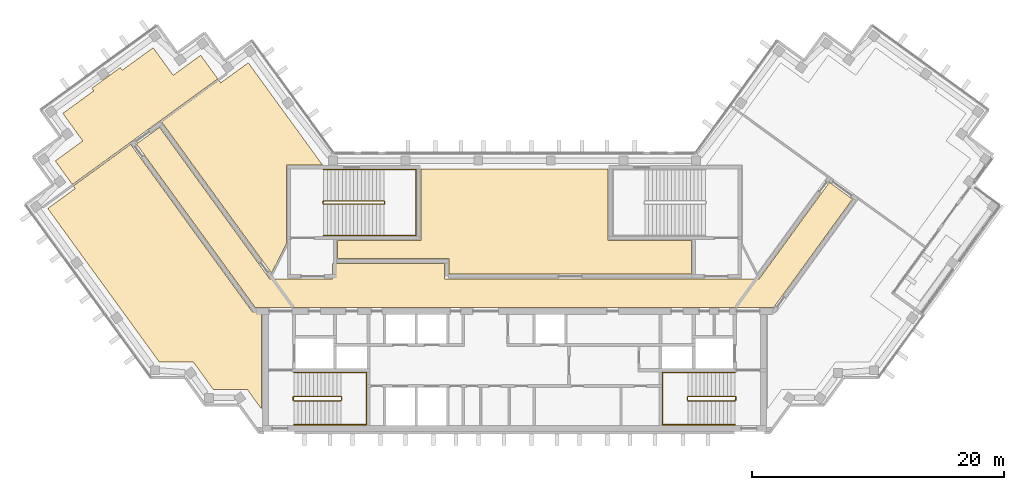
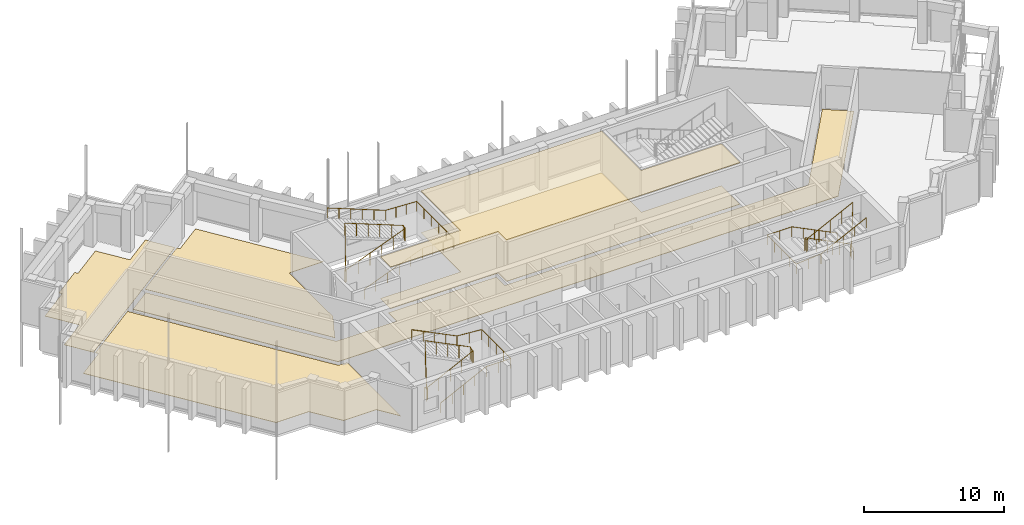
# One storey, part 13 of 14: 6 coverings, 6 railings.
"""IFC4 building model written with IfcOpenShell, lengths in metres."""

from ifc_helpers import new_model, si_unit, direction, frame, origin, origin_2d, place, context, subcontext, project, spatial, polyline, circle, outline, extrude, material, layer, layer_set, type_object, element, save


model = new_model("IFC4")

# Units and contexts
model_context = context("Model", 3, precision=1e-05, world=origin(), true_north=direction((0.0, 1.0)))
body_context = subcontext(model_context, "Body", "Model", "MODEL_VIEW")
ifc_project = project(units=[si_unit("LENGTHUNIT", "METRE"), si_unit("AREAUNIT", "SQUARE_METRE"), si_unit("VOLUMEUNIT", "CUBIC_METRE"), si_unit("PLANEANGLEUNIT", "RADIAN"), si_unit("MASSUNIT", "GRAM", prefix="KILO")], contexts=[model_context])

# Site, building, storey
site_placement = place(None, origin())
site = spatial("IfcSite", under=ifc_project, at=site_placement, CompositionType="ELEMENT")
building_placement = place(site_placement, origin())
building = spatial("IfcBuilding", under=site, at=building_placement, Name="Quipu Civic Tower", CompositionType="ELEMENT")
storey_placement = place(building_placement, frame((0.0, 0.0, 311.0)))
storey = spatial("IfcBuildingStorey", under=building, at=storey_placement, Name="L72", CompositionType="ELEMENT", Elevation=311.0)

# Coverings
ifc_material_1 = material(Name="Mineral fibre acoustic ceiling tile")
ifc_layer_1 = layer(ifc_material_1, 0.0400390625)
ifc_layer_set_1 = layer_set([ifc_layer_1], Name="Mineral fibre acoustic ceiling tile")
covering_type_1 = type_object("IfcCoveringType", Name="Acoustic ceiling tile 600 x 600", PredefinedType="CEILING", material=ifc_layer_set_1)
covering_1_placement = place(storey_placement, frame((0.0, 0.0, 3.610107421875)))
element("IfcCovering", 1, at=covering_1_placement, inside=storey, type_object=covering_type_1, Name="Acoustic ceiling tile 600 x 600", PredefinedType="CEILING", context=body_context, shape_type="SweptSolid", body=[
    extrude(outline(polyline([(-14.030029296875, 2.719970703125), (-14.030029296875, 4.179931640625), (-7.430908203125, 4.180908203125), (-7.429931640625, 9.830078125), (7.429931640625, 9.830078125), (7.430908203125, 4.179931640625), (14.030029296875, 4.179931640625), (14.030029296875, 1.52001953125), (-5.179931640625, 1.52001953125), (-5.181884765625, 2.719970703125), (-14.030029296875, 2.719970703125)])), origin(), (0.0, 0.0, 1.0), 0.039794921875),
])
ifc_material_2 = material(Name="Carpet tile on raised access floor")
ifc_layer_2 = layer(ifc_material_2, 0.02001953125)
ifc_layer_set_2 = layer_set([ifc_layer_2], Name="Carpet tile on raised access floor")
covering_type_2 = type_object("IfcCoveringType", Name="Carpet tile floor finish 20", PredefinedType="FLOORING", material=ifc_layer_set_2)
covering_2_placement = place(storey_placement, origin())
element("IfcCovering", 2, at=covering_2_placement, inside=storey, type_object=covering_type_2, Name="Carpet tile floor finish 20", PredefinedType="FLOORING", context=body_context, shape_type="SweptSolid", body=[
    extrude(outline(polyline([(-14.030029296875, 2.719970703125), (-14.030029296875, 4.179931640625), (-7.430908203125, 4.180908203125), (-7.429931640625, 9.830078125), (7.429931640625, 9.830078125), (7.430908203125, 4.179931640625), (14.030029296875, 4.179931640625), (14.030029296875, 1.52001953125), (-5.179931640625, 1.52001953125), (-5.181884765625, 2.719970703125), (-14.030029296875, 2.719970703125)])), origin(), (0.0, 0.0, 1.0), 0.02001953125),
])
covering_3_placement = place(storey_placement, origin())
element("IfcCovering", 3, at=covering_3_placement, inside=storey, type_object=covering_type_2, Name="Carpet tile floor finish 20", PredefinedType="FLOORING", context=body_context, shape_type="SweptSolid", body=[
    extrude(outline(polyline([(-27.987060546875, 13.5791015625), (-23.447998046875, 16.876953125), (-23.299072265625, 16.676025390625), (-21.115966796875, 18.260986328125), (-15.238037109375, 10.169921875), (-18.070068359375, 10.1689453125), (-18.070068359375, 3.94189453125), (-19.27197265625, 1.583984375), (-27.987060546875, 13.5791015625)])), origin(), (0.0, 0.0, 1.0), 0.02001953125),
])
covering_4_placement = place(storey_placement, origin())
element("IfcCovering", 4, at=covering_4_placement, inside=storey, type_object=covering_type_2, Name="Carpet tile floor finish 20", PredefinedType="FLOORING", context=body_context, shape_type="SweptSolid", body=[
    extrude(outline(polyline([(-36.425048828125, 10.47705078125), (-34.240966796875, 12.06396484375), (-35.826904296875, 14.248046875), (-33.3701171875, 16.032958984375), (-33.52197265625, 16.2451171875), (-31.27099609375, 17.8798828125), (-31.116943359375, 17.6708984375), (-28.658935546875, 19.455078125), (-27.073974609375, 17.27197265625), (-24.888916015625, 18.85791015625), (-23.531005859375, 16.989013671875), (-35.068115234375, 8.60791015625), (-36.425048828125, 10.47705078125)])), origin(), (0.0, 0.0, 1.0), 0.02001953125),
])
ifc_material_3 = material(Name="Ceramic floor tile")
ifc_layer_3 = layer(ifc_material_3, 0.030029296875)
ifc_layer_set_3 = layer_set([ifc_layer_3], Name="Ceramic floor tile")
covering_type_3 = type_object("IfcCoveringType", Name="Ceramic tile floor finish 30", PredefinedType="FLOORING", material=ifc_layer_set_3)
covering_5_placement = place(storey_placement, origin())
element("IfcCovering", 5, at=covering_5_placement, inside=storey, type_object=covering_type_3, Name="Ceramic tile floor finish 30", PredefinedType="FLOORING", context=body_context, shape_type="SweptSolid", body=[
    extrude(outline(polyline([(-37.02197265625, 6.7060546875), (-34.839111328125, 8.291015625), (-34.985107421875, 8.493896484375), (-30.446044921875, 11.7919921875), (-20.77490234375, -1.51904296875), (-20.070068359375, -1.52001953125), (-20.070068359375, -9.195068359375), (-21.196044921875, -7.64599609375), (-23.89501953125, -7.64599609375), (-25.48193359375, -5.4619140625), (-28.181884765625, -5.4609375), (-37.02197265625, 6.7060546875)])), origin(), (0.0, 0.0, 1.0), 0.030029296875),
])

# Railings
ifc_material_4 = material(Name="Stainless steel", Category="steel")
railing_type_1 = type_object("IfcRailingType", Name="Stair guard 1100", PredefinedType="GUARDRAIL", material=ifc_material_4)
railing_1_placement = place(storey_placement, frame((-17.5, -8.550048828125, 0.15380859375)))
element("IfcRailing", 6, at=railing_1_placement, inside=storey, type_object=railing_type_1, Name="Stair 1 guard", PredefinedType="GUARDRAIL", context=body_context, shape_type="SweptSolid", body=[
    extrude(circle(Radius=0.02392578125, at=origin_2d()), frame((0.0, 0.0, 1.076171875), z_axis=(0.895751851347, 0.0, 0.444554407028), x_axis=(0.0, 1.0, 0.0)), (0.0, 0.0, 1.0), 4.15283203125),
    extrude(circle(Radius=0.02392578125, at=origin_2d()), frame((3.719970703125, 0.0, 2.92236328125), z_axis=(0.707106781187, 0.707106781187, 0.0), x_axis=(-0.707106781187, 0.707106781187, 0.0)), (0.0, 0.0, 1.0), 0.07080078125),
    extrude(circle(Radius=0.02392578125, at=origin_2d()), frame((3.77001953125, 0.050048828125, 2.92236328125), z_axis=(0.0, 1.0, 0.0), x_axis=(-1.0, 0.0, 0.0)), (0.0, 0.0, 1.0), 0.25),
    extrude(circle(Radius=0.02392578125, at=origin_2d()), frame((3.77001953125, 0.300048828125, 2.92236328125), z_axis=(-0.295599637079, 0.295599637079, 0.908428152975), x_axis=(-0.707106781187, -0.707106781187, 0.0)), (0.0, 0.0, 1.0), 0.16943359375),
    extrude(circle(Radius=0.02392578125, at=origin_2d()), frame((3.719970703125, 0.35009765625, 3.076171875), z_axis=(-0.895751851347, 0.0, 0.444554407028), x_axis=(0.0, -1.0, 0.0)), (0.0, 0.0, 1.0), 4.15283203125),
    extrude(circle(Radius=0.02392578125, at=origin_2d()), frame((0.0, 0.35009765625, 4.92236328125), z_axis=(-0.012476181752, -0.074796231092, -0.997120789425), x_axis=(0.986372223864, -0.164529134168, 0.0)), (0.0, 0.0, 1.0), 4.011474609375),
    extrude(circle(Radius=0.02392578125, at=origin_2d()), frame((-0.050048828125, 0.050048828125, 0.92236328125), z_axis=(0.0, 1.0, 0.0), x_axis=(-1.0, 0.0, 0.0)), (0.0, 0.0, 1.0), 0.25),
    extrude(circle(Radius=0.02099609375, at=origin_2d()), origin(), (0.0, 0.0, 1.0), 1.052001953125),
    extrude(circle(Radius=0.02099609375, at=origin_2d()), frame((0.929931640625, 0.0, 0.46142578125)), (0.0, 0.0, 1.0), 1.052001953125),
    extrude(circle(Radius=0.02099609375, at=origin_2d()), frame((1.85986328125, 0.0, 0.923095703125)), (0.0, 0.0, 1.0), 1.052001953125),
    extrude(circle(Radius=0.02099609375, at=origin_2d()), frame((2.7900390625, 0.0, 1.384765625)), (0.0, 0.0, 1.0), 1.052001953125),
    extrude(circle(Radius=0.02099609375, at=origin_2d()), frame((3.719970703125, 0.0, 1.84619140625)), (0.0, 0.0, 1.0), 1.052001953125),
    extrude(circle(Radius=0.02099609375, at=origin_2d()), frame((3.77001953125, 0.050048828125, 1.84619140625)), (0.0, 0.0, 1.0), 1.052001953125),
    extrude(circle(Radius=0.02099609375, at=origin_2d()), frame((3.77001953125, 0.300048828125, 1.84619140625)), (0.0, 0.0, 1.0), 1.052001953125),
    extrude(circle(Radius=0.02099609375, at=origin_2d()), frame((3.719970703125, 0.35009765625, 2.0)), (0.0, 0.0, 1.0), 1.052001953125),
    extrude(circle(Radius=0.02099609375, at=origin_2d()), frame((2.7900390625, 0.35009765625, 2.46142578125)), (0.0, 0.0, 1.0), 1.052001953125),
    extrude(circle(Radius=0.02099609375, at=origin_2d()), frame((1.85986328125, 0.35009765625, 2.923095703125)), (0.0, 0.0, 1.0), 1.052001953125),
    extrude(circle(Radius=0.02099609375, at=origin_2d()), frame((0.929931640625, 0.35009765625, 3.384765625)), (0.0, 0.0, 1.0), 1.052001953125),
    extrude(circle(Radius=0.02099609375, at=origin_2d()), frame((0.0, 0.35009765625, 3.84619140625)), (0.0, 0.0, 1.0), 1.052001953125),
    extrude(circle(Radius=0.02099609375, at=origin_2d()), frame((-0.012451171875, 0.275146484375, 2.84619140625)), (0.0, 0.0, 1.0), 1.052001953125),
    extrude(circle(Radius=0.02099609375, at=origin_2d()), frame((-0.02490234375, 0.2001953125, 1.84619140625)), (0.0, 0.0, 1.0), 1.052001953125),
    extrude(circle(Radius=0.02099609375, at=origin_2d()), frame((-0.03759765625, 0.125, 0.84619140625)), (0.0, 0.0, 1.0), 1.052001953125),
    extrude(circle(Radius=0.02099609375, at=origin_2d()), frame((-0.050048828125, 0.050048828125, -0.15380859375)), (0.0, 0.0, 1.0), 1.052001953125),
    extrude(circle(Radius=0.02099609375, at=origin_2d()), frame((-0.050048828125, 0.300048828125, -0.15380859375)), (0.0, 0.0, 1.0), 1.052001953125),
])
railing_2_placement = place(storey_placement, frame((17.5, -8.199951171875, 0.15380859375)))
element("IfcRailing", 7, at=railing_2_placement, inside=storey, type_object=railing_type_1, Name="Stair 2 guard", PredefinedType="GUARDRAIL", context=body_context, shape_type="SweptSolid", body=[
    extrude(circle(Radius=0.02392578125, at=origin_2d()), frame((0.0, 0.0, 1.076171875), z_axis=(-0.895751851347, 0.0, 0.444554407028), x_axis=(0.0, -1.0, 0.0)), (0.0, 0.0, 1.0), 4.15283203125),
    extrude(circle(Radius=0.02392578125, at=origin_2d()), frame((-3.719970703125, 0.0, 2.92236328125), z_axis=(-0.707106781187, -0.707106781187, 0.0), x_axis=(0.707106781187, -0.707106781187, 0.0)), (0.0, 0.0, 1.0), 0.07080078125),
    extrude(circle(Radius=0.02392578125, at=origin_2d()), frame((-3.77001953125, -0.050048828125, 2.92236328125), z_axis=(0.0, -1.0, 0.0), x_axis=(1.0, 0.0, 0.0)), (0.0, 0.0, 1.0), 0.25),
    extrude(circle(Radius=0.02392578125, at=origin_2d()), frame((-3.77001953125, -0.300048828125, 2.92236328125), z_axis=(0.295599637079, -0.295599637079, 0.908428152975), x_axis=(0.707106781187, 0.707106781187, 0.0)), (0.0, 0.0, 1.0), 0.16943359375),
    extrude(circle(Radius=0.02392578125, at=origin_2d()), frame((-3.719970703125, -0.35009765625, 3.076171875), z_axis=(0.895751851347, 0.0, 0.444554407028), x_axis=(0.0, 1.0, 0.0)), (0.0, 0.0, 1.0), 4.15283203125),
    extrude(circle(Radius=0.02392578125, at=origin_2d()), frame((0.0, -0.35009765625, 4.92236328125), z_axis=(0.012476181752, 0.074796231092, -0.997120789425), x_axis=(-0.986372223864, 0.164529134168, 0.0)), (0.0, 0.0, 1.0), 4.011474609375),
    extrude(circle(Radius=0.02392578125, at=origin_2d()), frame((0.050048828125, -0.050048828125, 0.92236328125), z_axis=(0.0, -1.0, 0.0), x_axis=(1.0, 0.0, 0.0)), (0.0, 0.0, 1.0), 0.25),
    extrude(circle(Radius=0.02099609375, at=origin_2d()), origin(), (0.0, 0.0, 1.0), 1.052001953125),
    extrude(circle(Radius=0.02099609375, at=origin_2d()), frame((-0.929931640625, 0.0, 0.46142578125)), (0.0, 0.0, 1.0), 1.052001953125),
    extrude(circle(Radius=0.02099609375, at=origin_2d()), frame((-1.85986328125, 0.0, 0.923095703125)), (0.0, 0.0, 1.0), 1.052001953125),
    extrude(circle(Radius=0.02099609375, at=origin_2d()), frame((-2.7900390625, 0.0, 1.384765625)), (0.0, 0.0, 1.0), 1.052001953125),
    extrude(circle(Radius=0.02099609375, at=origin_2d()), frame((-3.719970703125, 0.0, 1.84619140625)), (0.0, 0.0, 1.0), 1.052001953125),
    extrude(circle(Radius=0.02099609375, at=origin_2d()), frame((-3.77001953125, -0.050048828125, 1.84619140625)), (0.0, 0.0, 1.0), 1.052001953125),
    extrude(circle(Radius=0.02099609375, at=origin_2d()), frame((-3.77001953125, -0.300048828125, 1.84619140625)), (0.0, 0.0, 1.0), 1.052001953125),
    extrude(circle(Radius=0.02099609375, at=origin_2d()), frame((-3.719970703125, -0.35009765625, 2.0)), (0.0, 0.0, 1.0), 1.052001953125),
    extrude(circle(Radius=0.02099609375, at=origin_2d()), frame((-2.7900390625, -0.35009765625, 2.46142578125)), (0.0, 0.0, 1.0), 1.052001953125),
    extrude(circle(Radius=0.02099609375, at=origin_2d()), frame((-1.85986328125, -0.35009765625, 2.923095703125)), (0.0, 0.0, 1.0), 1.052001953125),
    extrude(circle(Radius=0.02099609375, at=origin_2d()), frame((-0.929931640625, -0.35009765625, 3.384765625)), (0.0, 0.0, 1.0), 1.052001953125),
    extrude(circle(Radius=0.02099609375, at=origin_2d()), frame((0.0, -0.35009765625, 3.84619140625)), (0.0, 0.0, 1.0), 1.052001953125),
    extrude(circle(Radius=0.02099609375, at=origin_2d()), frame((0.012451171875, -0.275146484375, 2.84619140625)), (0.0, 0.0, 1.0), 1.052001953125),
    extrude(circle(Radius=0.02099609375, at=origin_2d()), frame((0.02490234375, -0.2001953125, 1.84619140625)), (0.0, 0.0, 1.0), 1.052001953125),
    extrude(circle(Radius=0.02099609375, at=origin_2d()), frame((0.03759765625, -0.125, 0.84619140625)), (0.0, 0.0, 1.0), 1.052001953125),
    extrude(circle(Radius=0.02099609375, at=origin_2d()), frame((0.050048828125, -0.050048828125, -0.15380859375)), (0.0, 0.0, 1.0), 1.052001953125),
    extrude(circle(Radius=0.02099609375, at=origin_2d()), frame((0.050048828125, -0.300048828125, -0.15380859375)), (0.0, 0.0, 1.0), 1.052001953125),
])
railing_3_placement = place(storey_placement, frame((-15.14990234375, 7.050048828125, 0.11767578125)))
element("IfcRailing", 8, at=railing_3_placement, inside=storey, type_object=railing_type_1, Name="Stair 3 guard", PredefinedType="GUARDRAIL", context=body_context, shape_type="SweptSolid", body=[
    extrude(circle(Radius=0.02392578125, at=origin_2d()), frame((0.0, 0.0, 1.076171875), z_axis=(0.930970042603, 0.0, 0.365095576219), x_axis=(0.0, 1.0, 0.0)), (0.0, 0.0, 1.0), 5.15576171875),
    extrude(circle(Radius=0.02392578125, at=origin_2d()), frame((4.7998046875, 0.0, 2.95849609375), z_axis=(0.707106781187, 0.707106781187, 0.0), x_axis=(-0.707106781187, 0.707106781187, 0.0)), (0.0, 0.0, 1.0), 0.07080078125),
    extrude(circle(Radius=0.02392578125, at=origin_2d()), frame((4.849853515625, 0.050048828125, 2.95849609375), z_axis=(0.0, 1.0, 0.0), x_axis=(-1.0, 0.0, 0.0)), (0.0, 0.0, 1.0), 0.14990234375),
    extrude(circle(Radius=0.02392578125, at=origin_2d()), frame((4.849853515625, 0.199951171875, 2.95849609375), z_axis=(-0.364463019033, 0.364463019033, 0.856932561824), x_axis=(-0.707106781187, -0.707106781187, 0.0)), (0.0, 0.0, 1.0), 0.13720703125),
    extrude(circle(Radius=0.02392578125, at=origin_2d()), frame((4.7998046875, 0.25, 3.076171875), z_axis=(-0.930970042603, 0.0, 0.365095576219), x_axis=(0.0, -1.0, 0.0)), (0.0, 0.0, 1.0), 5.15576171875),
    extrude(circle(Radius=0.02392578125, at=origin_2d()), frame((0.0, 0.25, 4.95849609375), z_axis=(-0.012495627992, -0.049921557685, -0.998674970829), x_axis=(0.970072785993, -0.242814311512, 0.0)), (0.0, 0.0, 1.0), 4.00537109375),
    extrude(circle(Radius=0.02392578125, at=origin_2d()), frame((-0.050048828125, 0.050048828125, 0.95849609375), z_axis=(0.0, 1.0, 0.0), x_axis=(-1.0, 0.0, 0.0)), (0.0, 0.0, 1.0), 0.14990234375),
    extrude(circle(Radius=0.02099609375, at=origin_2d()), origin(), (0.0, 0.0, 1.0), 1.052001953125),
    extrude(circle(Radius=0.02099609375, at=origin_2d()), frame((0.9599609375, 0.0, 0.37646484375)), (0.0, 0.0, 1.0), 1.052001953125),
    extrude(circle(Radius=0.02099609375, at=origin_2d()), frame((1.919921875, 0.0, 0.7529296875)), (0.0, 0.0, 1.0), 1.052001953125),
    extrude(circle(Radius=0.02099609375, at=origin_2d()), frame((2.8798828125, 0.0, 1.12939453125)), (0.0, 0.0, 1.0), 1.052001953125),
    extrude(circle(Radius=0.02099609375, at=origin_2d()), frame((3.83984375, 0.0, 1.505859375)), (0.0, 0.0, 1.0), 1.052001953125),
    extrude(circle(Radius=0.02099609375, at=origin_2d()), frame((4.7998046875, 0.0, 1.88232421875)), (0.0, 0.0, 1.0), 1.052001953125),
    extrude(circle(Radius=0.02099609375, at=origin_2d()), frame((4.849853515625, 0.050048828125, 1.88232421875)), (0.0, 0.0, 1.0), 1.052001953125),
    extrude(circle(Radius=0.02099609375, at=origin_2d()), frame((4.849853515625, 0.199951171875, 1.88232421875)), (0.0, 0.0, 1.0), 1.052001953125),
    extrude(circle(Radius=0.02099609375, at=origin_2d()), frame((4.7998046875, 0.25, 2.0)), (0.0, 0.0, 1.0), 1.052001953125),
    extrude(circle(Radius=0.02099609375, at=origin_2d()), frame((3.83984375, 0.25, 2.37646484375)), (0.0, 0.0, 1.0), 1.052001953125),
    extrude(circle(Radius=0.02099609375, at=origin_2d()), frame((2.8798828125, 0.25, 2.7529296875)), (0.0, 0.0, 1.0), 1.052001953125),
    extrude(circle(Radius=0.02099609375, at=origin_2d()), frame((1.919921875, 0.25, 3.12939453125)), (0.0, 0.0, 1.0), 1.052001953125),
    extrude(circle(Radius=0.02099609375, at=origin_2d()), frame((0.9599609375, 0.25, 3.505859375)), (0.0, 0.0, 1.0), 1.052001953125),
    extrude(circle(Radius=0.02099609375, at=origin_2d()), frame((0.0, 0.25, 3.88232421875)), (0.0, 0.0, 1.0), 1.052001953125),
    extrude(circle(Radius=0.02099609375, at=origin_2d()), frame((-0.012451171875, 0.199951171875, 2.88232421875)), (0.0, 0.0, 1.0), 1.052001953125),
    extrude(circle(Radius=0.02099609375, at=origin_2d()), frame((-0.02490234375, 0.14990234375, 1.88232421875)), (0.0, 0.0, 1.0), 1.052001953125),
    extrude(circle(Radius=0.02099609375, at=origin_2d()), frame((-0.03759765625, 0.10009765625, 0.88232421875)), (0.0, 0.0, 1.0), 1.052001953125),
    extrude(circle(Radius=0.02099609375, at=origin_2d()), frame((-0.050048828125, 0.050048828125, -0.11767578125)), (0.0, 0.0, 1.0), 1.052001953125),
    extrude(circle(Radius=0.02099609375, at=origin_2d()), frame((-0.050048828125, 0.199951171875, -0.11767578125)), (0.0, 0.0, 1.0), 1.052001953125),
])
ifc_material_5 = material(Name="Stainless steel", Category="steel")
railing_type_2 = type_object("IfcRailingType", Name="Stair handrail", PredefinedType="HANDRAIL", material=ifc_material_5)
railing_4_placement = place(storey_placement, frame((-17.5, -10.449951171875, 0.15380859375)))
element("IfcRailing", 9, at=railing_4_placement, inside=storey, type_object=railing_type_2, Name="Stair 1 handrail", PredefinedType="HANDRAIL", context=body_context, shape_type="SweptSolid", body=[
    extrude(circle(Radius=0.02392578125, at=origin_2d()), frame((0.0, 0.0, 0.8759765625), z_axis=(0.895751851347, 0.0, 0.444554407028), x_axis=(0.0, 1.0, 0.0)), (0.0, 0.0, 1.0), 4.15283203125),
    extrude(circle(Radius=0.02392578125, at=origin_2d()), frame((3.719970703125, 0.0, 2.72216796875), z_axis=(1.0, 0.0, 0.0), x_axis=(0.0, 1.0, 0.0)), (0.0, 0.0, 1.0), 2.030029296875),
    extrude(circle(Radius=0.02392578125, at=origin_2d()), frame((5.75, 0.0, 2.72216796875), z_axis=(0.0, 1.0, 0.0), x_axis=(-1.0, 0.0, 0.0)), (0.0, 0.0, 1.0), 4.14990234375),
    extrude(circle(Radius=0.02392578125, at=origin_2d()), frame((5.75, 4.14990234375, 2.72216796875), z_axis=(-0.997142003663, 0.0, 0.075550145798), x_axis=(0.0, -1.0, 0.0)), (0.0, 0.0, 1.0), 2.035888671875),
    extrude(circle(Radius=0.02392578125, at=origin_2d()), frame((3.719970703125, 4.14990234375, 2.8759765625), z_axis=(-0.895751851347, 0.0, 0.444554407028), x_axis=(0.0, -1.0, 0.0)), (0.0, 0.0, 1.0), 4.15283203125),
    extrude(circle(Radius=0.02099609375, at=origin_2d()), origin(), (0.0, 0.0, 1.0), 0.851806640625),
    extrude(circle(Radius=0.02099609375, at=origin_2d()), frame((0.929931640625, 0.0, 0.46142578125)), (0.0, 0.0, 1.0), 0.851806640625),
    extrude(circle(Radius=0.02099609375, at=origin_2d()), frame((1.85986328125, 0.0, 0.923095703125)), (0.0, 0.0, 1.0), 0.851806640625),
    extrude(circle(Radius=0.02099609375, at=origin_2d()), frame((2.7900390625, 0.0, 1.384765625)), (0.0, 0.0, 1.0), 0.851806640625),
    extrude(circle(Radius=0.02099609375, at=origin_2d()), frame((3.719970703125, 0.0, 1.84619140625)), (0.0, 0.0, 1.0), 0.851806640625),
    extrude(circle(Radius=0.02099609375, at=origin_2d()), frame((4.73486328125, 0.0, 1.84619140625)), (0.0, 0.0, 1.0), 0.851806640625),
    extrude(circle(Radius=0.02099609375, at=origin_2d()), frame((5.75, 0.0, 1.84619140625)), (0.0, 0.0, 1.0), 0.851806640625),
    extrude(circle(Radius=0.02099609375, at=origin_2d()), frame((5.75, 1.03759765625, 1.84619140625)), (0.0, 0.0, 1.0), 0.851806640625),
    extrude(circle(Radius=0.02099609375, at=origin_2d()), frame((5.75, 2.074951171875, 1.84619140625)), (0.0, 0.0, 1.0), 0.851806640625),
    extrude(circle(Radius=0.02099609375, at=origin_2d()), frame((5.75, 3.1123046875, 1.84619140625)), (0.0, 0.0, 1.0), 0.851806640625),
    extrude(circle(Radius=0.02099609375, at=origin_2d()), frame((5.75, 4.14990234375, 1.84619140625)), (0.0, 0.0, 1.0), 0.851806640625),
    extrude(circle(Radius=0.02099609375, at=origin_2d()), frame((4.73486328125, 4.14990234375, 1.923095703125)), (0.0, 0.0, 1.0), 0.851806640625),
    extrude(circle(Radius=0.02099609375, at=origin_2d()), frame((3.719970703125, 4.14990234375, 2.0)), (0.0, 0.0, 1.0), 0.851806640625),
    extrude(circle(Radius=0.02099609375, at=origin_2d()), frame((2.7900390625, 4.14990234375, 2.46142578125)), (0.0, 0.0, 1.0), 0.851806640625),
    extrude(circle(Radius=0.02099609375, at=origin_2d()), frame((1.85986328125, 4.14990234375, 2.923095703125)), (0.0, 0.0, 1.0), 0.851806640625),
    extrude(circle(Radius=0.02099609375, at=origin_2d()), frame((0.929931640625, 4.14990234375, 3.384765625)), (0.0, 0.0, 1.0), 0.851806640625),
    extrude(circle(Radius=0.02099609375, at=origin_2d()), frame((0.0, 4.14990234375, 3.84619140625)), (0.0, 0.0, 1.0), 0.851806640625),
])
railing_5_placement = place(storey_placement, frame((17.5, -6.300048828125, 0.15380859375)))
element("IfcRailing", 10, at=railing_5_placement, inside=storey, type_object=railing_type_2, Name="Stair 2 handrail", PredefinedType="HANDRAIL", context=body_context, shape_type="SweptSolid", body=[
    extrude(circle(Radius=0.02392578125, at=origin_2d()), frame((0.0, 0.0, 0.8759765625), z_axis=(-0.895751851347, 0.0, 0.444554407028), x_axis=(0.0, -1.0, 0.0)), (0.0, 0.0, 1.0), 4.15283203125),
    extrude(circle(Radius=0.02392578125, at=origin_2d()), frame((-3.719970703125, 0.0, 2.72216796875), z_axis=(-1.0, 0.0, 0.0), x_axis=(0.0, -1.0, 0.0)), (0.0, 0.0, 1.0), 2.030029296875),
    extrude(circle(Radius=0.02392578125, at=origin_2d()), frame((-5.75, 0.0, 2.72216796875), z_axis=(0.0, -1.0, 0.0), x_axis=(1.0, 0.0, 0.0)), (0.0, 0.0, 1.0), 4.14990234375),
    extrude(circle(Radius=0.02392578125, at=origin_2d()), frame((-5.75, -4.14990234375, 2.72216796875), z_axis=(0.997142003663, 0.0, 0.075550145798), x_axis=(0.0, 1.0, 0.0)), (0.0, 0.0, 1.0), 2.035888671875),
    extrude(circle(Radius=0.02392578125, at=origin_2d()), frame((-3.719970703125, -4.14990234375, 2.8759765625), z_axis=(0.895751851347, 0.0, 0.444554407028), x_axis=(0.0, 1.0, 0.0)), (0.0, 0.0, 1.0), 4.15283203125),
    extrude(circle(Radius=0.02099609375, at=origin_2d()), origin(), (0.0, 0.0, 1.0), 0.851806640625),
    extrude(circle(Radius=0.02099609375, at=origin_2d()), frame((-0.929931640625, 0.0, 0.46142578125)), (0.0, 0.0, 1.0), 0.851806640625),
    extrude(circle(Radius=0.02099609375, at=origin_2d()), frame((-1.85986328125, 0.0, 0.923095703125)), (0.0, 0.0, 1.0), 0.851806640625),
    extrude(circle(Radius=0.02099609375, at=origin_2d()), frame((-2.7900390625, 0.0, 1.384765625)), (0.0, 0.0, 1.0), 0.851806640625),
    extrude(circle(Radius=0.02099609375, at=origin_2d()), frame((-3.719970703125, 0.0, 1.84619140625)), (0.0, 0.0, 1.0), 0.851806640625),
    extrude(circle(Radius=0.02099609375, at=origin_2d()), frame((-4.73486328125, 0.0, 1.84619140625)), (0.0, 0.0, 1.0), 0.851806640625),
    extrude(circle(Radius=0.02099609375, at=origin_2d()), frame((-5.75, 0.0, 1.84619140625)), (0.0, 0.0, 1.0), 0.851806640625),
    extrude(circle(Radius=0.02099609375, at=origin_2d()), frame((-5.75, -1.03759765625, 1.84619140625)), (0.0, 0.0, 1.0), 0.851806640625),
    extrude(circle(Radius=0.02099609375, at=origin_2d()), frame((-5.75, -2.074951171875, 1.84619140625)), (0.0, 0.0, 1.0), 0.851806640625),
    extrude(circle(Radius=0.02099609375, at=origin_2d()), frame((-5.75, -3.1123046875, 1.84619140625)), (0.0, 0.0, 1.0), 0.851806640625),
    extrude(circle(Radius=0.02099609375, at=origin_2d()), frame((-5.75, -4.14990234375, 1.84619140625)), (0.0, 0.0, 1.0), 0.851806640625),
    extrude(circle(Radius=0.02099609375, at=origin_2d()), frame((-4.73486328125, -4.14990234375, 1.923095703125)), (0.0, 0.0, 1.0), 0.851806640625),
    extrude(circle(Radius=0.02099609375, at=origin_2d()), frame((-3.719970703125, -4.14990234375, 2.0)), (0.0, 0.0, 1.0), 0.851806640625),
    extrude(circle(Radius=0.02099609375, at=origin_2d()), frame((-2.7900390625, -4.14990234375, 2.46142578125)), (0.0, 0.0, 1.0), 0.851806640625),
    extrude(circle(Radius=0.02099609375, at=origin_2d()), frame((-1.85986328125, -4.14990234375, 2.923095703125)), (0.0, 0.0, 1.0), 0.851806640625),
    extrude(circle(Radius=0.02099609375, at=origin_2d()), frame((-0.929931640625, -4.14990234375, 3.384765625)), (0.0, 0.0, 1.0), 0.851806640625),
    extrude(circle(Radius=0.02099609375, at=origin_2d()), frame((0.0, -4.14990234375, 3.84619140625)), (0.0, 0.0, 1.0), 0.851806640625),
])
railing_6_placement = place(storey_placement, frame((-15.14990234375, 4.550048828125, 0.11767578125)))
element("IfcRailing", 11, at=railing_6_placement, inside=storey, type_object=railing_type_2, Name="Stair 3 handrail", PredefinedType="HANDRAIL", context=body_context, shape_type="SweptSolid", body=[
    extrude(circle(Radius=0.02392578125, at=origin_2d()), frame((0.0, 0.0, 0.8759765625), z_axis=(0.930970042603, 0.0, 0.365095576219), x_axis=(0.0, 1.0, 0.0)), (0.0, 0.0, 1.0), 5.15576171875),
    extrude(circle(Radius=0.02392578125, at=origin_2d()), frame((4.7998046875, 0.0, 2.75830078125), z_axis=(1.0, 0.0, 0.0), x_axis=(0.0, 1.0, 0.0)), (0.0, 0.0, 1.0), 2.550048828125),
    extrude(circle(Radius=0.02392578125, at=origin_2d()), frame((7.349853515625, 0.0, 2.75830078125), z_axis=(0.0, 1.0, 0.0), x_axis=(-1.0, 0.0, 0.0)), (0.0, 0.0, 1.0), 5.25),
    extrude(circle(Radius=0.02392578125, at=origin_2d()), frame((7.349853515625, 5.25, 2.75830078125), z_axis=(-0.998936948642, 0.0, 0.04609742549), x_axis=(0.0, -1.0, 0.0)), (0.0, 0.0, 1.0), 2.552734375),
    extrude(circle(Radius=0.02392578125, at=origin_2d()), frame((4.7998046875, 5.25, 2.8759765625), z_axis=(-0.930970042603, 0.0, 0.365095576219), x_axis=(0.0, -1.0, 0.0)), (0.0, 0.0, 1.0), 5.15576171875),
    extrude(circle(Radius=0.02099609375, at=origin_2d()), origin(), (0.0, 0.0, 1.0), 0.851806640625),
    extrude(circle(Radius=0.02099609375, at=origin_2d()), frame((0.9599609375, 0.0, 0.37646484375)), (0.0, 0.0, 1.0), 0.851806640625),
    extrude(circle(Radius=0.02099609375, at=origin_2d()), frame((1.919921875, 0.0, 0.7529296875)), (0.0, 0.0, 1.0), 0.851806640625),
    extrude(circle(Radius=0.02099609375, at=origin_2d()), frame((2.8798828125, 0.0, 1.12939453125)), (0.0, 0.0, 1.0), 0.851806640625),
    extrude(circle(Radius=0.02099609375, at=origin_2d()), frame((3.83984375, 0.0, 1.505859375)), (0.0, 0.0, 1.0), 0.851806640625),
    extrude(circle(Radius=0.02099609375, at=origin_2d()), frame((4.7998046875, 0.0, 1.88232421875)), (0.0, 0.0, 1.0), 0.851806640625),
    extrude(circle(Radius=0.02099609375, at=origin_2d()), frame((5.64990234375, 0.0, 1.88232421875)), (0.0, 0.0, 1.0), 0.851806640625),
    extrude(circle(Radius=0.02099609375, at=origin_2d()), frame((6.499755859375, 0.0, 1.88232421875)), (0.0, 0.0, 1.0), 0.851806640625),
    extrude(circle(Radius=0.02099609375, at=origin_2d()), frame((7.349853515625, 0.0, 1.88232421875)), (0.0, 0.0, 1.0), 0.851806640625),
    extrude(circle(Radius=0.02099609375, at=origin_2d()), frame((7.349853515625, 1.050048828125, 1.88232421875)), (0.0, 0.0, 1.0), 0.851806640625),
    extrude(circle(Radius=0.02099609375, at=origin_2d()), frame((7.349853515625, 2.10009765625, 1.88232421875)), (0.0, 0.0, 1.0), 0.851806640625),
    extrude(circle(Radius=0.02099609375, at=origin_2d()), frame((7.349853515625, 3.14990234375, 1.88232421875)), (0.0, 0.0, 1.0), 0.851806640625),
    extrude(circle(Radius=0.02099609375, at=origin_2d()), frame((7.349853515625, 4.199951171875, 1.88232421875)), (0.0, 0.0, 1.0), 0.851806640625),
    extrude(circle(Radius=0.02099609375, at=origin_2d()), frame((7.349853515625, 5.25, 1.88232421875)), (0.0, 0.0, 1.0), 0.851806640625),
    extrude(circle(Radius=0.02099609375, at=origin_2d()), frame((6.499755859375, 5.25, 1.921630859375)), (0.0, 0.0, 1.0), 0.851806640625),
    extrude(circle(Radius=0.02099609375, at=origin_2d()), frame((5.64990234375, 5.25, 1.960693359375)), (0.0, 0.0, 1.0), 0.851806640625),
    extrude(circle(Radius=0.02099609375, at=origin_2d()), frame((4.7998046875, 5.25, 2.0)), (0.0, 0.0, 1.0), 0.851806640625),
    extrude(circle(Radius=0.02099609375, at=origin_2d()), frame((3.83984375, 5.25, 2.37646484375)), (0.0, 0.0, 1.0), 0.851806640625),
    extrude(circle(Radius=0.02099609375, at=origin_2d()), frame((2.8798828125, 5.25, 2.7529296875)), (0.0, 0.0, 1.0), 0.851806640625),
    extrude(circle(Radius=0.02099609375, at=origin_2d()), frame((1.919921875, 5.25, 3.12939453125)), (0.0, 0.0, 1.0), 0.851806640625),
    extrude(circle(Radius=0.02099609375, at=origin_2d()), frame((0.9599609375, 5.25, 3.505859375)), (0.0, 0.0, 1.0), 0.851806640625),
    extrude(circle(Radius=0.02099609375, at=origin_2d()), frame((0.0, 5.25, 3.88232421875)), (0.0, 0.0, 1.0), 0.851806640625),
])

# Covering
ifc_material_6 = material(Name="Terrazzo floor finish")
ifc_layer_4 = layer(ifc_material_6, 0.0400390625)
ifc_layer_set_4 = layer_set([ifc_layer_4], Name="Terrazzo floor finish")
covering_type_4 = type_object("IfcCoveringType", Name="Terrazzo floor finish 40", PredefinedType="FLOORING", material=ifc_layer_set_4)
covering_6_placement = place(storey_placement, origin())
element("IfcCovering", 12, at=covering_6_placement, inside=storey, type_object=covering_type_4, Name="Terrazzo floor finish 40", PredefinedType="FLOORING", context=body_context, shape_type="SweptSolid", body=[
    extrude(outline(polyline([(19.425048828125, 1.1298828125), (24.98095703125, 8.778076171875), (26.80908203125, 7.450927734375), (20.574951171875, -1.1298828125), (-20.574951171875, -1.1298828125), (-29.98291015625, 11.819091796875), (-28.155029296875, 13.14697265625), (-19.425048828125, 1.1298828125), (-14.429931640625, 1.1298828125), (-14.429931640625, 2.330078125), (-5.570068359375, 2.330078125), (-5.570068359375, 1.1298828125), (19.425048828125, 1.1298828125)])), origin(), (0.0, 0.0, 1.0), 0.0400390625),
])

save(model, "model.ifc")
